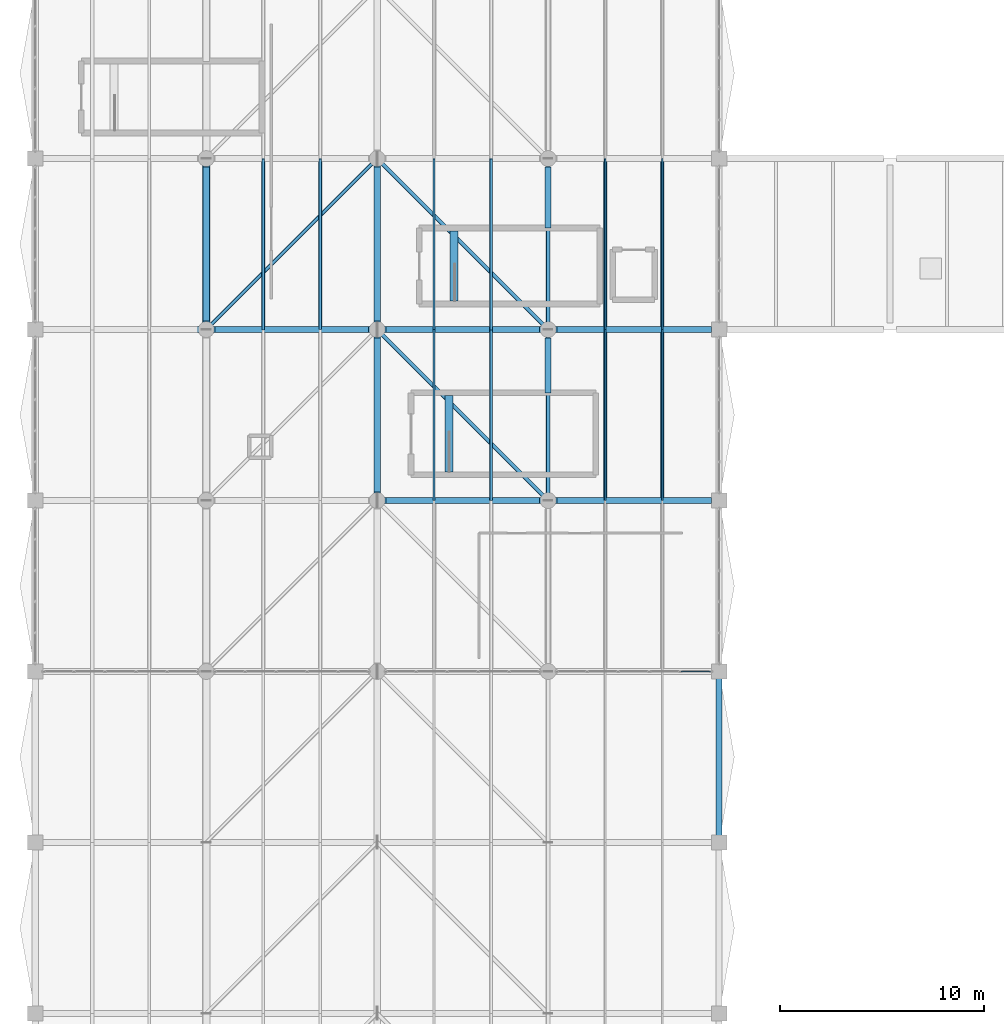
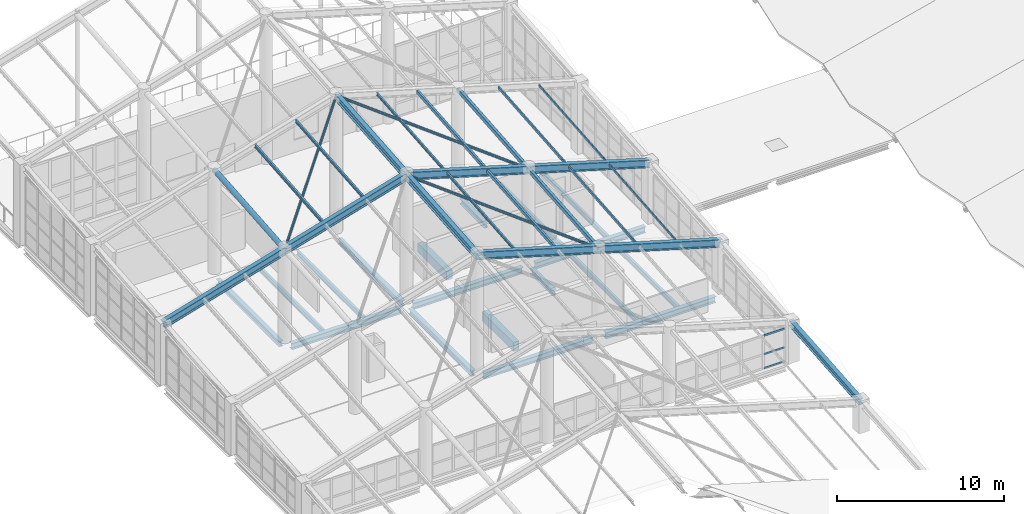
# One storey, part 37 of 95: 25 members, 18 beams, 1 element without a shape of its own.
"""IFC4 building model written with IfcOpenShell, lengths in metres."""

from ifc_helpers import new_model, si_unit, direction, frame, origin, origin_2d, place, context, subcontext, project, spatial, rectangle, hollow_rectangle, hollow_circle, i_section, extrude, material, layer, layer_set, material_profile, profile_set, type_object, element, aggregate, save


model = new_model("IFC4")

# Units and contexts
model_context = context("Model", 3, precision=1e-05, world=origin(), true_north=direction((0.0, 1.0)))
body_context = subcontext(model_context, "Body", "Model", "MODEL_VIEW")
ifc_project = project(units=[si_unit("LENGTHUNIT", "METRE"), si_unit("AREAUNIT", "SQUARE_METRE"), si_unit("VOLUMEUNIT", "CUBIC_METRE"), si_unit("PLANEANGLEUNIT", "RADIAN"), si_unit("MASSUNIT", "GRAM", prefix="KILO"), si_unit("THERMODYNAMICTEMPERATUREUNIT", "KELVIN"), si_unit("POWERUNIT", "WATT")], contexts=[model_context])

# Site, building, storey
site_placement = place(None, origin())
site = spatial("IfcSite", under=ifc_project, at=site_placement, CompositionType="ELEMENT")
building_placement = place(site_placement, origin())
building = spatial("IfcBuilding", under=site, at=building_placement, Name="Mavoryth Pier Ferry Terminal", CompositionType="ELEMENT")
storey_placement = place(building_placement, frame((0.0, 0.0, 9.60009765625)))
storey = spatial("IfcBuildingStorey", under=building, at=storey_placement, Name="L02", CompositionType="ELEMENT", Elevation=9.60009765625)

# Beams
ifc_material_1 = material(Name="Steel S355J2", Category="steel")
ifc_material_profile_1 = material_profile(ifc_material_1, i_section(OverallWidth=0.300048828125, OverallDepth=0.389892578125, WebThickness=0.010986328125, FlangeThickness=0.01904296875, FilletRadius=0.027099609375, at=origin_2d()), Name="HEA 400", Category="steel")
ifc_profile_set_1 = profile_set([ifc_material_profile_1], Name="Steel S355J2 - HEA 400")
beam_type_1 = type_object("IfcBeamType", Name="Beam-Steel-HEA400", PredefinedType="BEAM", material=ifc_profile_set_1)
beam_1_placement = place(storey_placement, frame((8.39990234375, 89.625, -0.47509765625), z_axis=(0.0, 1.0, 0.0), x_axis=(-1.0, 0.0, 0.0)))
element("IfcBeam", 1, at=beam_1_placement, inside=storey, type_object=beam_type_1, Name="Beam B02-SB04-0635", PredefinedType="BEAM", context=body_context, shape_type="SweptSolid", body=[
    extrude(i_section(OverallWidth=0.300048828125, OverallDepth=0.389892578125, WebThickness=0.010986328125, FlangeThickness=0.01904296875, FilletRadius=0.027099609375, at=origin_2d()), origin(), (0.0, 0.0, 1.0), 7.550048828125),
])
beam_2_placement = place(storey_placement, frame((16.800048828125, 81.22509765625, -0.47509765625), z_axis=(0.0, 1.0, 0.0), x_axis=(-1.0, 0.0, 0.0)))
element("IfcBeam", 2, at=beam_2_placement, inside=storey, type_object=beam_type_1, Name="Beam B02-SB04-0639", PredefinedType="BEAM", context=body_context, shape_type="SweptSolid", body=[
    extrude(i_section(OverallWidth=0.300048828125, OverallDepth=0.389892578125, WebThickness=0.010986328125, FlangeThickness=0.01904296875, FilletRadius=0.027099609375, at=origin_2d()), origin(), (0.0, 0.0, 1.0), 7.5498046875),
])
beam_3_placement = place(storey_placement, frame((16.800048828125, 89.625, -0.47509765625), z_axis=(0.0, 1.0, 0.0), x_axis=(-1.0, 0.0, 0.0)))
element("IfcBeam", 3, at=beam_3_placement, inside=storey, type_object=beam_type_1, Name="Beam B02-SB04-0640", PredefinedType="BEAM", context=body_context, shape_type="SweptSolid", body=[
    extrude(i_section(OverallWidth=0.300048828125, OverallDepth=0.389892578125, WebThickness=0.010986328125, FlangeThickness=0.01904296875, FilletRadius=0.027099609375, at=origin_2d()), origin(), (0.0, 0.0, 1.0), 7.550048828125),
])
beam_4_placement = place(storey_placement, frame((25.199951171875, 86.080078125, -0.47509765625), z_axis=(0.0, 1.0, 0.0), x_axis=(-1.0, 0.0, 0.0)))
element("IfcBeam", 4, at=beam_4_placement, inside=storey, type_object=beam_type_1, Name="Beam B02-SB04-0644", PredefinedType="BEAM", context=body_context, shape_type="SweptSolid", body=[
    extrude(i_section(OverallWidth=0.300048828125, OverallDepth=0.389892578125, WebThickness=0.010986328125, FlangeThickness=0.01904296875, FilletRadius=0.027099609375, at=origin_2d()), origin(), (0.0, 0.0, 1.0), 2.69482421875),
])
beam_5_placement = place(storey_placement, frame((25.199951171875, 94.179931640625, -0.47509765625), z_axis=(0.0, 1.0, 0.0), x_axis=(-1.0, 0.0, 0.0)))
element("IfcBeam", 5, at=beam_5_placement, inside=storey, type_object=beam_type_1, Name="Beam B02-SB04-0645", PredefinedType="BEAM", context=body_context, shape_type="SweptSolid", body=[
    extrude(i_section(OverallWidth=0.300048828125, OverallDepth=0.389892578125, WebThickness=0.010986328125, FlangeThickness=0.01904296875, FilletRadius=0.027099609375, at=origin_2d()), origin(), (0.0, 0.0, 1.0), 2.9951171875),
])
ifc_material_profile_2 = material_profile(ifc_material_1, i_section(OverallWidth=0.300048828125, OverallDepth=0.449951171875, WebThickness=0.013916015625, FlangeThickness=0.02587890625, FilletRadius=0.027099609375, at=origin_2d()), Name="HEB 450", Category="steel")
ifc_profile_set_2 = profile_set([ifc_material_profile_2], Name="Steel S355J2 - HEB 450")
beam_type_2 = type_object("IfcBeamType", Name="Beam-Steel-HEB450", PredefinedType="BEAM", material=ifc_profile_set_2)
beam_6_placement = place(storey_placement, frame((17.22509765625, 80.800048828125, -0.505126953125), z_axis=(1.0, 0.0, 0.0), x_axis=(0.0, 1.0, 0.0)))
element("IfcBeam", 6, at=beam_6_placement, inside=storey, type_object=beam_type_2, Name="Beam B02-SB02-0610", PredefinedType="BEAM", context=body_context, shape_type="SweptSolid", body=[
    extrude(i_section(OverallWidth=0.300048828125, OverallDepth=0.449951171875, WebThickness=0.013916015625, FlangeThickness=0.02587890625, FilletRadius=0.027099609375, at=origin_2d()), origin(), (0.0, 0.0, 1.0), 7.5498046875),
])
beam_7_placement = place(storey_placement, frame((25.625, 80.800048828125, -0.505126953125), z_axis=(1.0, 0.0, 0.0), x_axis=(0.0, 1.0, 0.0)))
element("IfcBeam", 7, at=beam_7_placement, inside=storey, type_object=beam_type_2, Name="Beam B02-SB02-0611", PredefinedType="BEAM", context=body_context, shape_type="SweptSolid", body=[
    extrude(i_section(OverallWidth=0.300048828125, OverallDepth=0.449951171875, WebThickness=0.013916015625, FlangeThickness=0.02587890625, FilletRadius=0.027099609375, at=origin_2d()), origin(), (0.0, 0.0, 1.0), 7.60009765625),
])
beam_8_placement = place(storey_placement, frame((8.824951171875, 89.199951171875, -0.505126953125), z_axis=(1.0, 0.0, 0.0), x_axis=(0.0, 1.0, 0.0)))
element("IfcBeam", 8, at=beam_8_placement, inside=storey, type_object=beam_type_2, Name="Beam B02-SB02-0613", PredefinedType="BEAM", context=body_context, shape_type="SweptSolid", body=[
    extrude(i_section(OverallWidth=0.300048828125, OverallDepth=0.449951171875, WebThickness=0.013916015625, FlangeThickness=0.02587890625, FilletRadius=0.027099609375, at=origin_2d()), origin(), (0.0, 0.0, 1.0), 7.550048828125),
])
beam_9_placement = place(storey_placement, frame((17.22509765625, 89.199951171875, -0.505126953125), z_axis=(1.0, 0.0, 0.0), x_axis=(0.0, 1.0, 0.0)))
element("IfcBeam", 9, at=beam_9_placement, inside=storey, type_object=beam_type_2, Name="Beam B02-SB02-0614", PredefinedType="BEAM", context=body_context, shape_type="SweptSolid", body=[
    extrude(i_section(OverallWidth=0.300048828125, OverallDepth=0.449951171875, WebThickness=0.013916015625, FlangeThickness=0.02587890625, FilletRadius=0.027099609375, at=origin_2d()), origin(), (0.0, 0.0, 1.0), 7.5498046875),
])
beam_10_placement = place(storey_placement, frame((25.625, 89.199951171875, -0.505126953125), z_axis=(1.0, 0.0, 0.0), x_axis=(0.0, 1.0, 0.0)))
element("IfcBeam", 10, at=beam_10_placement, inside=storey, type_object=beam_type_2, Name="Beam B02-SB02-0615", PredefinedType="BEAM", context=body_context, shape_type="SweptSolid", body=[
    extrude(i_section(OverallWidth=0.300048828125, OverallDepth=0.449951171875, WebThickness=0.013916015625, FlangeThickness=0.02587890625, FilletRadius=0.027099609375, at=origin_2d()), origin(), (0.0, 0.0, 1.0), 7.60009765625),
])

# Members
ifc_material_profile_3 = material_profile(ifc_material_1, hollow_circle(Radius=0.096923828125, WallThickness=0.010009765625, at=origin_2d()), Name="CHS 193.7x10.0", Category="steel")
ifc_profile_set_3 = profile_set([ifc_material_profile_3], Name="Steel S355J2 - CHS 193.7x10.0")
member_type_1 = type_object("IfcMemberType", Name="Brace-Plan-CHS194", PredefinedType="BRACE", material=ifc_profile_set_3)
for number, where, z_axis, x_axis, name in (
    (11, (25.199951171875, 80.800048828125, 5.94189453125), (-0.682878207153, 0.682878207153, 0.259527856674), (-0.707106781187, -0.707106781187, 0.0), "Steel Member MB-L02-0144"),
    (12, (25.199951171875, 89.199951171875, 6.65625), (-0.682868951799, 0.682888799179, 0.259524339177), (-0.707117056885, -0.707096505339, 0.0), "Steel Member MB-L02-0159"),
):
    element("IfcMember", number, at=place(storey_placement, frame(where, z_axis=z_axis, x_axis=x_axis)), inside=storey, type_object=member_type_1, Name=name, PredefinedType="BRACE", context=body_context, shape_type="SweptSolid", body=[
        extrude(hollow_circle(Radius=0.096923828125, WallThickness=0.010009765625, at=origin_2d()), origin(), (0.0, 0.0, 1.0), 12.30078125),
    ])
ifc_material_profile_4 = material_profile(ifc_material_1, hollow_circle(Radius=0.084228515625, WallThickness=0.008056640625, at=origin_2d()), Name="CHS 168.3x8.0", Category="steel")
ifc_profile_set_4 = profile_set([ifc_material_profile_4], Name="Steel S355J2 - CHS 168.3x8.0")
member_type_2 = type_object("IfcMemberType", Name="Brace-Roof-CHS168", PredefinedType="BRACE", material=ifc_profile_set_4)
member_1_placement = place(storey_placement, frame((8.39990234375, 89.199951171875, 6.65625), z_axis=(0.682879543932, 0.682879543932, 0.259520821823), x_axis=(-0.707106781187, 0.707106781187, 0.0)))
element("IfcMember", 13, at=member_1_placement, inside=storey, type_object=member_type_2, Name="Steel Member MB-L02-0158", PredefinedType="BRACE", context=body_context, shape_type="SweptSolid", body=[
    extrude(hollow_circle(Radius=0.084228515625, WallThickness=0.008056640625, at=origin_2d()), origin(), (0.0, 0.0, 1.0), 12.301025390625),
])
ifc_material_profile_5 = material_profile(ifc_material_1, i_section(OverallWidth=0.300048828125, OverallDepth=0.449951171875, WebThickness=0.013916015625, FlangeThickness=0.02587890625, FilletRadius=0.027099609375, at=origin_2d()), Name="HEB 450", Category="steel")
ifc_profile_set_5 = profile_set([ifc_material_profile_5], Name="Steel S355J2 - HEB 450")
member_type_3 = type_object("IfcMemberType", Name="Chord-Eave-HEB450", PredefinedType="CHORD", material=ifc_profile_set_5)
member_2_placement = place(storey_placement, frame((33.60009765625, 64.0, 2.014892578125), z_axis=(0.0, 0.9964033157, 0.084737432475), x_axis=(-1.0, 0.0, 0.0)))
element("IfcMember", 14, at=member_2_placement, inside=storey, type_object=member_type_3, Name="Steel Member MB-L02-0102", PredefinedType="CHORD", context=body_context, shape_type="SweptSolid", body=[
    extrude(i_section(OverallWidth=0.300048828125, OverallDepth=0.449951171875, WebThickness=0.013916015625, FlangeThickness=0.02587890625, FilletRadius=0.027099609375, at=origin_2d()), origin(), (0.0, 0.0, 1.0), 8.43017578125),
])
ifc_material_profile_6 = material_profile(ifc_material_1, hollow_rectangle(XDim=0.199951171875, YDim=0.300048828125, WallThickness=0.012451171875, InnerFilletRadius=0.012451171875, OuterFilletRadius=0.02490234375, at=origin_2d()), Name="RHS 300x200x12.5", Category="steel")
ifc_profile_set_6 = profile_set([ifc_material_profile_6], Name="Steel S355J2 - RHS 300x200x12.5")
member_type_4 = type_object("IfcMemberType", Name="Chord-Edge-RHS300", PredefinedType="CHORD", material=ifc_profile_set_6)
member_3_placement = place(storey_placement, frame((25.199951171875, 80.800048828125, 5.94189453125), z_axis=(0.0, 0.9964033157, 0.084737432475), x_axis=(-1.0, 0.0, 0.0)))
element("IfcMember", 15, at=member_3_placement, inside=storey, type_object=member_type_4, Name="Steel Member MB-L02-0134", PredefinedType="CHORD", context=body_context, shape_type="SweptSolid", body=[
    extrude(hollow_rectangle(XDim=0.199951171875, YDim=0.300048828125, WallThickness=0.012451171875, InnerFilletRadius=0.012451171875, OuterFilletRadius=0.02490234375, at=origin_2d()), origin(), (0.0, 0.0, 1.0), 8.43017578125),
])
member_4_placement = place(storey_placement, frame((25.199951171875, 89.199951171875, 6.65625), z_axis=(0.0, 0.996403523637, 0.084734987362), x_axis=(-1.0, 0.0, 0.0)))
element("IfcMember", 16, at=member_4_placement, inside=storey, type_object=member_type_4, Name="Steel Member MB-L02-0149", PredefinedType="CHORD", context=body_context, shape_type="SweptSolid", body=[
    extrude(hollow_rectangle(XDim=0.199951171875, YDim=0.300048828125, WallThickness=0.012451171875, InnerFilletRadius=0.012451171875, OuterFilletRadius=0.02490234375, at=origin_2d()), origin(), (0.0, 0.0, 1.0), 8.430419921875),
])
ifc_material_profile_7 = material_profile(ifc_material_1, i_section(OverallWidth=0.300048828125, OverallDepth=0.489990234375, WebThickness=0.011962890625, FlangeThickness=0.02294921875, FilletRadius=0.027099609375, at=origin_2d()), Name="HEA 500", Category="steel")
ifc_profile_set_7 = profile_set([ifc_material_profile_7], Name="Steel S355J2 - HEA 500")
member_type_5 = type_object("IfcMemberType", Name="Chord-Ridge-HEA500", PredefinedType="CHORD", material=ifc_profile_set_7)
member_5_placement = place(storey_placement, frame((16.800048828125, 80.800048828125, 8.419921875), z_axis=(0.0, 0.9964033157, 0.084737432475), x_axis=(-1.0, 0.0, 0.0)))
element("IfcMember", 17, at=member_5_placement, inside=storey, type_object=member_type_5, Name="Steel Member MB-L02-0131", PredefinedType="CHORD", context=body_context, shape_type="SweptSolid", body=[
    extrude(i_section(OverallWidth=0.300048828125, OverallDepth=0.489990234375, WebThickness=0.011962890625, FlangeThickness=0.02294921875, FilletRadius=0.027099609375, at=origin_2d()), origin(), (0.0, 0.0, 1.0), 8.43017578125),
])
member_6_placement = place(storey_placement, frame((16.800048828125, 89.199951171875, 9.13427734375), z_axis=(0.0, 0.996403523637, 0.084734987362), x_axis=(-1.0, 0.0, 0.0)))
element("IfcMember", 18, at=member_6_placement, inside=storey, type_object=member_type_5, Name="Steel Member MB-L02-0146", PredefinedType="CHORD", context=body_context, shape_type="SweptSolid", body=[
    extrude(i_section(OverallWidth=0.300048828125, OverallDepth=0.489990234375, WebThickness=0.011962890625, FlangeThickness=0.02294921875, FilletRadius=0.027099609375, at=origin_2d()), origin(), (0.0, 0.0, 1.0), 8.430419921875),
])
ifc_material_profile_8 = material_profile(ifc_material_1, hollow_circle(Radius=0.177734375, WallThickness=0.01611328125, at=origin_2d()), Name="CHS 355.6x16.0", Category="steel")
ifc_profile_set_8 = profile_set([ifc_material_profile_8], Name="Steel S355J2 - CHS 355.6x16.0")
member_type_6 = type_object("IfcMemberType", Name="Chord-Valley-CHS356", PredefinedType="CHORD", material=ifc_profile_set_8)
member_7_placement = place(storey_placement, frame((8.39990234375, 89.199951171875, 6.65625), z_axis=(0.0, 0.996403523637, 0.084734987362), x_axis=(-1.0, 0.0, 0.0)))
element("IfcMember", 19, at=member_7_placement, inside=storey, type_object=member_type_6, Name="Steel Member MB-L02-0148", PredefinedType="CHORD", context=body_context, shape_type="SweptSolid", body=[
    extrude(hollow_circle(Radius=0.177734375, WallThickness=0.01611328125, at=origin_2d()), origin(), (0.0, 0.0, 1.0), 8.430419921875),
])

# Beams
ifc_material_2 = material(Name="Concrete C35/45", Category="concrete")
ifc_material_profile_9 = material_profile(ifc_material_2, rectangle(XDim=0.39990234375, YDim=0.64990234375, at=origin_2d()), Name="RC 400x650", Category="concrete")
ifc_profile_set_9 = profile_set([ifc_material_profile_9], Name="Concrete C35/45 - RC 400x650")
beam_type_3 = type_object("IfcBeamType", Name="Girder-RC-400x650", PredefinedType="BEAM", material=ifc_profile_set_9)
beam_11_placement = place(storey_placement, frame((20.570068359375, 90.60009765625, -0.3251953125), z_axis=(0.0, 1.0, 0.0), x_axis=(-1.0, 0.0, 0.0)))
element("IfcBeam", 20, at=beam_11_placement, inside=storey, type_object=beam_type_3, Name="Beam B02-BG05-1568", PredefinedType="BEAM", context=body_context, shape_type="SweptSolid", body=[
    extrude(rectangle(XDim=0.39990234375, YDim=0.64990234375, at=origin_2d()), origin(), (0.0, 0.0, 1.0), 3.449951171875),
])
beam_12_placement = place(storey_placement, frame((20.320068359375, 82.199951171875, -0.3251953125), z_axis=(0.0, 1.0, 0.0), x_axis=(-1.0, 0.0, 0.0)))
element("IfcBeam", 21, at=beam_12_placement, inside=storey, type_object=beam_type_3, Name="Beam B02-BG05-1593", PredefinedType="BEAM", context=body_context, shape_type="SweptSolid", body=[
    extrude(rectangle(XDim=0.39990234375, YDim=0.64990234375, at=origin_2d()), origin(), (0.0, 0.0, 1.0), 3.75),
])
ifc_material_profile_10 = material_profile(ifc_material_1, i_section(OverallWidth=0.169921875, OverallDepth=0.360107421875, WebThickness=0.008056640625, FlangeThickness=0.0126953125, FilletRadius=0.01806640625, at=origin_2d()), Name="IPE 360", Category="steel")
ifc_profile_set_10 = profile_set([ifc_material_profile_10], Name="Steel S355J2 - IPE 360")
beam_type_4 = type_object("IfcBeamType", Name="Joist-Steel-IPE360", PredefinedType="JOIST", material=ifc_profile_set_10)
for number, where, z_axis, x_axis, name in (
    (22, (11.199951171875, 89.35009765625, -0.460205078125), (0.0, 1.0, 0.0), (-1.0, 0.0, 0.0), "Beam B02-SJ02-0665"),
    (23, (14.0, 89.35009765625, -0.460205078125), (0.0, 1.0, 0.0), (-1.0, 0.0, 0.0), "Beam B02-SJ02-0666"),
):
    element("IfcBeam", number, at=place(storey_placement, frame(where, z_axis=z_axis, x_axis=x_axis)), inside=storey, type_object=beam_type_4, Name=name, PredefinedType="JOIST", context=body_context, shape_type="SweptSolid", body=[
        extrude(i_section(OverallWidth=0.169921875, OverallDepth=0.360107421875, WebThickness=0.008056640625, FlangeThickness=0.0126953125, FilletRadius=0.01806640625, at=origin_2d()), origin(), (0.0, 0.0, 1.0), 8.099853515625),
    ])
for number, where, z_axis, x_axis, name in (
    (24, (28.0, 80.949951171875, -0.460205078125), (0.0, 1.0, 0.0), (-1.0, 0.0, 0.0), "Beam B02-SJ02-0679"),
    (25, (30.800048828125, 80.949951171875, -0.460205078125), (0.0, 1.0, 0.0), (-1.0, 0.0, 0.0), "Beam B02-SJ02-0680"),
):
    element("IfcBeam", number, at=place(storey_placement, frame(where, z_axis=z_axis, x_axis=x_axis)), inside=storey, type_object=beam_type_4, Name=name, PredefinedType="JOIST", context=body_context, shape_type="SweptSolid", body=[
        extrude(i_section(OverallWidth=0.169921875, OverallDepth=0.360107421875, WebThickness=0.008056640625, FlangeThickness=0.0126953125, FilletRadius=0.01806640625, at=origin_2d()), origin(), (0.0, 0.0, 1.0), 8.10009765625),
    ])
for number, where, z_axis, x_axis, name in (
    (26, (28.0, 89.35009765625, -0.460205078125), (0.0, 1.0, 0.0), (-1.0, 0.0, 0.0), "Beam B02-SJ02-0681"),
    (27, (30.800048828125, 89.35009765625, -0.460205078125), (0.0, 1.0, 0.0), (-1.0, 0.0, 0.0), "Beam B02-SJ02-0682"),
):
    element("IfcBeam", number, at=place(storey_placement, frame(where, z_axis=z_axis, x_axis=x_axis)), inside=storey, type_object=beam_type_4, Name=name, PredefinedType="JOIST", context=body_context, shape_type="SweptSolid", body=[
        extrude(i_section(OverallWidth=0.169921875, OverallDepth=0.360107421875, WebThickness=0.008056640625, FlangeThickness=0.0126953125, FilletRadius=0.01806640625, at=origin_2d()), origin(), (0.0, 0.0, 1.0), 8.099853515625),
    ])

# Members
ifc_material_profile_11 = material_profile(ifc_material_1, i_section(OverallWidth=0.10009765625, OverallDepth=0.199951171875, WebThickness=0.005615234375, FlangeThickness=0.008544921875, FilletRadius=0.011962890625, at=origin_2d()), Name="IPE 200", Category="steel")
ifc_profile_set_11 = profile_set([ifc_material_profile_11], Name="Steel S355J2 - IPE 200")
member_type_7 = type_object("IfcMemberType", Name="Purlin-Roof-IPE200", PredefinedType="PURLIN", material=ifc_profile_set_11)
member_8_placement = place(storey_placement, frame((19.60009765625, 80.800048828125, 7.58740234375), z_axis=(0.0, 0.9964033157, 0.084737432475), x_axis=(-1.0, 0.0, 0.0)))
element("IfcMember", 28, at=member_8_placement, inside=storey, type_object=member_type_7, Name="Steel Member MB-L02-0139", PredefinedType="PURLIN", context=body_context, shape_type="SweptSolid", body=[
    extrude(i_section(OverallWidth=0.10009765625, OverallDepth=0.199951171875, WebThickness=0.005615234375, FlangeThickness=0.008544921875, FilletRadius=0.011962890625, at=origin_2d()), origin(), (0.0, 0.0, 1.0), 8.43017578125),
])
member_9_placement = place(storey_placement, frame((19.60009765625, 89.199951171875, 8.3017578125), z_axis=(0.0, 0.996403523637, 0.084734987362), x_axis=(-1.0, 0.0, 0.0)))
element("IfcMember", 29, at=member_9_placement, inside=storey, type_object=member_type_7, Name="Steel Member MB-L02-0154", PredefinedType="PURLIN", context=body_context, shape_type="SweptSolid", body=[
    extrude(i_section(OverallWidth=0.10009765625, OverallDepth=0.199951171875, WebThickness=0.005615234375, FlangeThickness=0.008544921875, FilletRadius=0.011962890625, at=origin_2d()), origin(), (0.0, 0.0, 1.0), 8.430419921875),
])
ifc_material_profile_12 = material_profile(ifc_material_1, i_section(OverallWidth=0.110107421875, OverallDepth=0.219970703125, WebThickness=0.005859375, FlangeThickness=0.00927734375, FilletRadius=0.011962890625, at=origin_2d()), Name="IPE 220", Category="steel")
ifc_profile_set_12 = profile_set([ifc_material_profile_12], Name="Steel S355J2 - IPE 220")
member_type_8 = type_object("IfcMemberType", Name="Purlin-Roof-IPE220", PredefinedType="PURLIN", material=ifc_profile_set_12)
member_10_placement = place(storey_placement, frame((14.0, 89.199951171875, 8.3017578125), z_axis=(0.0, 0.996403523637, 0.084734987362), x_axis=(-1.0, 0.0, 0.0)))
element("IfcMember", 30, at=member_10_placement, inside=storey, type_object=member_type_8, Name="Steel Member MB-L02-0153", PredefinedType="PURLIN", context=body_context, shape_type="SweptSolid", body=[
    extrude(i_section(OverallWidth=0.110107421875, OverallDepth=0.219970703125, WebThickness=0.005859375, FlangeThickness=0.00927734375, FilletRadius=0.011962890625, at=origin_2d()), origin(), (0.0, 0.0, 1.0), 8.430419921875),
])
ifc_material_profile_13 = material_profile(ifc_material_1, i_section(OverallWidth=0.1201171875, OverallDepth=0.239990234375, WebThickness=0.006103515625, FlangeThickness=0.009765625, FilletRadius=0.014892578125, at=origin_2d()), Name="IPE 240", Category="steel")
ifc_profile_set_13 = profile_set([ifc_material_profile_13], Name="Steel S355J2 - IPE 240")
member_type_9 = type_object("IfcMemberType", Name="Purlin-Roof-IPE240", PredefinedType="PURLIN", material=ifc_profile_set_13)
member_11_placement = place(storey_placement, frame((11.199951171875, 89.199951171875, 7.468994140625), z_axis=(0.0, 0.996405968271, 0.084706235859), x_axis=(-1.0, 0.0, 0.0)))
element("IfcMember", 31, at=member_11_placement, inside=storey, type_object=member_type_9, Name="Steel Member MB-L02-0152", PredefinedType="PURLIN", context=body_context, shape_type="SweptSolid", body=[
    extrude(i_section(OverallWidth=0.1201171875, OverallDepth=0.239990234375, WebThickness=0.006103515625, FlangeThickness=0.009765625, FilletRadius=0.014892578125, at=origin_2d()), origin(), (0.0, 0.0, 1.0), 8.430419921875),
])
ifc_material_profile_14 = material_profile(ifc_material_1, hollow_rectangle(XDim=0.080078125, YDim=0.159912109375, WallThickness=0.00634765625, InnerFilletRadius=0.00634765625, OuterFilletRadius=0.0126953125, at=origin_2d()), Name="RHS 160x80x6.3", Category="steel")
ifc_profile_set_14 = profile_set([ifc_material_profile_14], Name="Steel S355J2 - RHS 160x80x6.3")
member_type_10 = type_object("IfcMemberType", Name="Purlin-Tube-RHS160", PredefinedType="PURLIN", material=ifc_profile_set_14)
member_12_placement = place(storey_placement, frame((30.800048828125, 80.800048828125, 4.25634765625), z_axis=(0.0, 0.9964033157, 0.084737432475), x_axis=(-1.0, 0.0, 0.0)))
element("IfcMember", 32, at=member_12_placement, inside=storey, type_object=member_type_10, Name="Steel Member MB-L02-0142", PredefinedType="PURLIN", context=body_context, shape_type="SweptSolid", body=[
    extrude(hollow_rectangle(XDim=0.080078125, YDim=0.159912109375, WallThickness=0.00634765625, InnerFilletRadius=0.00634765625, OuterFilletRadius=0.0126953125, at=origin_2d()), origin(), (0.0, 0.0, 1.0), 8.43017578125),
])
member_13_placement = place(storey_placement, frame((30.800048828125, 89.199951171875, 4.970703125), z_axis=(0.0, 0.996405968271, 0.084706235859), x_axis=(-1.0, 0.0, 0.0)))
element("IfcMember", 33, at=member_13_placement, inside=storey, type_object=member_type_10, Name="Steel Member MB-L02-0157", PredefinedType="PURLIN", context=body_context, shape_type="SweptSolid", body=[
    extrude(hollow_rectangle(XDim=0.080078125, YDim=0.159912109375, WallThickness=0.00634765625, InnerFilletRadius=0.00634765625, OuterFilletRadius=0.0126953125, at=origin_2d()), origin(), (0.0, 0.0, 1.0), 8.430419921875),
])
ifc_material_profile_15 = material_profile(ifc_material_1, hollow_rectangle(XDim=0.10009765625, YDim=0.199951171875, WallThickness=0.008056640625, InnerFilletRadius=0.008056640625, OuterFilletRadius=0.01611328125, at=origin_2d()), Name="RHS 200x100x8.0", Category="steel")
ifc_profile_set_15 = profile_set([ifc_material_profile_15], Name="Steel S355J2 - RHS 200x100x8.0")
member_type_11 = type_object("IfcMemberType", Name="Purlin-Tube-RHS200", PredefinedType="PURLIN", material=ifc_profile_set_15)
member_14_placement = place(storey_placement, frame((28.0, 80.800048828125, 5.089111328125), z_axis=(0.0, 0.9964033157, 0.084737432475), x_axis=(-1.0, 0.0, 0.0)))
element("IfcMember", 34, at=member_14_placement, inside=storey, type_object=member_type_11, Name="Steel Member MB-L02-0141", PredefinedType="PURLIN", context=body_context, shape_type="SweptSolid", body=[
    extrude(hollow_rectangle(XDim=0.10009765625, YDim=0.199951171875, WallThickness=0.008056640625, InnerFilletRadius=0.008056640625, OuterFilletRadius=0.01611328125, at=origin_2d()), origin(), (0.0, 0.0, 1.0), 8.43017578125),
])
member_15_placement = place(storey_placement, frame((28.0, 89.199951171875, 5.803466796875), z_axis=(0.0, 0.996403523637, 0.084734987362), x_axis=(-1.0, 0.0, 0.0)))
element("IfcMember", 35, at=member_15_placement, inside=storey, type_object=member_type_11, Name="Steel Member MB-L02-0156", PredefinedType="PURLIN", context=body_context, shape_type="SweptSolid", body=[
    extrude(hollow_rectangle(XDim=0.10009765625, YDim=0.199951171875, WallThickness=0.008056640625, InnerFilletRadius=0.008056640625, OuterFilletRadius=0.01611328125, at=origin_2d()), origin(), (0.0, 0.0, 1.0), 8.430419921875),
])
ifc_material_profile_16 = material_profile(ifc_material_1, hollow_rectangle(XDim=0.14990234375, YDim=0.25, WallThickness=0.010009765625, InnerFilletRadius=0.010009765625, OuterFilletRadius=0.02001953125, at=origin_2d()), Name="RHS 250x150x10.0", Category="steel")
ifc_profile_set_16 = profile_set([ifc_material_profile_16], Name="Steel S355J2 - RHS 250x150x10.0")
member_type_12 = type_object("IfcMemberType", Name="Purlin-Tube-RHS250", PredefinedType="PURLIN", material=ifc_profile_set_16)
member_16_placement = place(storey_placement, frame((22.39990234375, 80.800048828125, 6.754638671875), z_axis=(0.0, 0.9964033157, 0.084737432475), x_axis=(-1.0, 0.0, 0.0)))
element("IfcMember", 36, at=member_16_placement, inside=storey, type_object=member_type_12, Name="Steel Member MB-L02-0140", PredefinedType="PURLIN", context=body_context, shape_type="SweptSolid", body=[
    extrude(hollow_rectangle(XDim=0.14990234375, YDim=0.25, WallThickness=0.010009765625, InnerFilletRadius=0.010009765625, OuterFilletRadius=0.02001953125, at=origin_2d()), origin(), (0.0, 0.0, 1.0), 8.43017578125),
])
member_17_placement = place(storey_placement, frame((22.39990234375, 89.199951171875, 7.468994140625), z_axis=(0.0, 0.996405968271, 0.084706235859), x_axis=(-1.0, 0.0, 0.0)))
element("IfcMember", 37, at=member_17_placement, inside=storey, type_object=member_type_12, Name="Steel Member MB-L02-0155", PredefinedType="PURLIN", context=body_context, shape_type="SweptSolid", body=[
    extrude(hollow_rectangle(XDim=0.14990234375, YDim=0.25, WallThickness=0.010009765625, InnerFilletRadius=0.010009765625, OuterFilletRadius=0.02001953125, at=origin_2d()), origin(), (0.0, 0.0, 1.0), 8.430419921875),
])
ifc_material_profile_17 = material_profile(ifc_material_1, i_section(OverallWidth=0.300048828125, OverallDepth=0.550048828125, WebThickness=0.014892578125, FlangeThickness=0.029052734375, FilletRadius=0.027099609375, at=origin_2d()), Name="HEB 550", Category="steel")
ifc_profile_set_17 = profile_set([ifc_material_profile_17], Name="Steel S355J2 - HEB 550")
member_type_13 = type_object("IfcMemberType", Name="Rafter-Folded-HEB550", PredefinedType="RAFTER", material=ifc_profile_set_17)
member_18_placement = place(storey_placement, frame((16.800048828125, 80.800048828125, 8.419921875), z_axis=(0.958821022036, 0.0, -0.284010999261), x_axis=(0.0, 1.0, 0.0)))
element("IfcMember", 38, at=member_18_placement, inside=storey, type_object=member_type_13, Name="Steel Member MB-L02-0016", PredefinedType="RAFTER", context=body_context, shape_type="SweptSolid", body=[
    extrude(i_section(OverallWidth=0.300048828125, OverallDepth=0.550048828125, WebThickness=0.014892578125, FlangeThickness=0.029052734375, FilletRadius=0.027099609375, at=origin_2d()), origin(), (0.0, 0.0, 1.0), 17.521484375),
])
for number, where, z_axis, x_axis, name in (
    (39, (0.0, 89.199951171875, 4.15771484375), (0.958817227595, 0.0, 0.284023808979), (0.0, 1.0, 0.0), "Steel Member MB-L02-0017"),
    (40, (16.800048828125, 89.199951171875, 9.13427734375), (0.958817227595, 0.0, -0.284023808979), (0.0, 1.0, 0.0), "Steel Member MB-L02-0018"),
):
    element("IfcMember", number, at=place(storey_placement, frame(where, z_axis=z_axis, x_axis=x_axis)), inside=storey, type_object=member_type_13, Name=name, PredefinedType="RAFTER", context=body_context, shape_type="SweptSolid", body=[
        extrude(i_section(OverallWidth=0.300048828125, OverallDepth=0.550048828125, WebThickness=0.014892578125, FlangeThickness=0.029052734375, FilletRadius=0.027099609375, at=origin_2d()), origin(), (0.0, 0.0, 1.0), 17.521728515625),
    ])

# Curtain wall, members
ifc_material_3 = material(Name="Anodised Aluminium and Solar-Control Low-E Glass", Category="aluminium")
ifc_layer = layer(ifc_material_3, 0.179931640625, Name="Anodised Aluminium and Solar-Control Low-E Glass", Category="aluminium")
ifc_layer_set = layer_set([ifc_layer], Name="Anodised Aluminium and Solar-Control Low-E Glass - CW-Concourse-Mod1400")
curtain_wall_type = type_object("IfcCurtainWallType", Name="CW-Concourse-Mod1400", PredefinedType="USERDEFINED", material=ifc_layer_set)
curtain_wall_placement = place(storey_placement, origin())
curtain_wall = element("IfcCurtainWall", 41, at=curtain_wall_placement, inside=storey, type_object=curtain_wall_type, Name="Curtain Wall CW-0222-049", ObjectType="UNITISED CURTAIN WALL", PredefinedType="USERDEFINED")
ifc_material_4 = material(Name="Anodised Aluminium EN AW-6063", Category="aluminium")
ifc_material_profile_18 = material_profile(ifc_material_4, hollow_rectangle(XDim=0.06005859375, YDim=0.125, WallThickness=0.00390625, InnerFilletRadius=0.00390625, OuterFilletRadius=0.008056640625, at=origin_2d()), Name="AL-TRAN 125x60x4", Category="aluminium")
ifc_profile_set_18 = profile_set([ifc_material_profile_18], Name="Anodised Aluminium EN AW-6063 - AL-TRAN 125x60x4")
member_type_14 = type_object("IfcMemberType", Name="Transom-Alum-125x60", PredefinedType="USERDEFINED", material=ifc_profile_set_18)
member_19_placement = place(storey_placement, frame((31.72802734375, 72.39990234375, 0.02978515625), z_axis=(1.0, 0.0, 0.0), x_axis=(0.0, 1.0, 0.0)))
member_19 = element("IfcMember", 42, at=member_19_placement, type_object=member_type_14, Name="CW01 transom 5.1", ObjectType="TRANSOM", PredefinedType="USERDEFINED", context=body_context, shape_type="SweptSolid", body=[
    extrude(hollow_rectangle(XDim=0.06005859375, YDim=0.125, WallThickness=0.00390625, InnerFilletRadius=0.00390625, OuterFilletRadius=0.008056640625, at=origin_2d()), origin(), (0.0, 0.0, 1.0), 1.43701171875),
])
member_20_placement = place(storey_placement, frame((31.72802734375, 72.39990234375, 1.0498046875), z_axis=(1.0, 0.0, 0.0), x_axis=(0.0, 1.0, 0.0)))
member_20 = element("IfcMember", 43, at=member_20_placement, type_object=member_type_14, Name="CW01 transom 5.2", ObjectType="TRANSOM", PredefinedType="USERDEFINED", context=body_context, shape_type="SweptSolid", body=[
    extrude(hollow_rectangle(XDim=0.06005859375, YDim=0.125, WallThickness=0.00390625, InnerFilletRadius=0.00390625, OuterFilletRadius=0.008056640625, at=origin_2d()), origin(), (0.0, 0.0, 1.0), 1.43701171875),
])
member_21_placement = place(storey_placement, frame((31.72802734375, 72.39990234375, 2.406005859375), z_axis=(1.0, 0.0, 0.0), x_axis=(0.0, 1.0, 0.0)))
member_21 = element("IfcMember", 44, at=member_21_placement, type_object=member_type_14, Name="CW01 transom 5.3", ObjectType="TRANSOM", PredefinedType="USERDEFINED", context=body_context, shape_type="SweptSolid", body=[
    extrude(hollow_rectangle(XDim=0.06005859375, YDim=0.125, WallThickness=0.00390625, InnerFilletRadius=0.00390625, OuterFilletRadius=0.008056640625, at=origin_2d()), origin(), (0.0, 0.0, 1.0), 1.43701171875),
])
aggregate(curtain_wall, [member_19, member_20, member_21])

save(model, "model.ifc")
